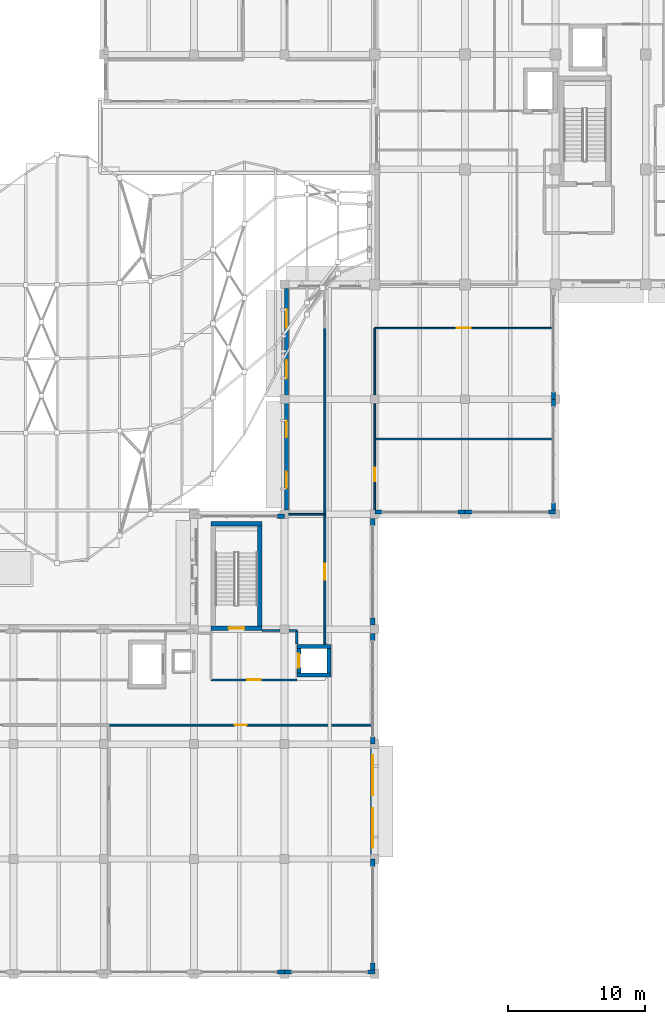
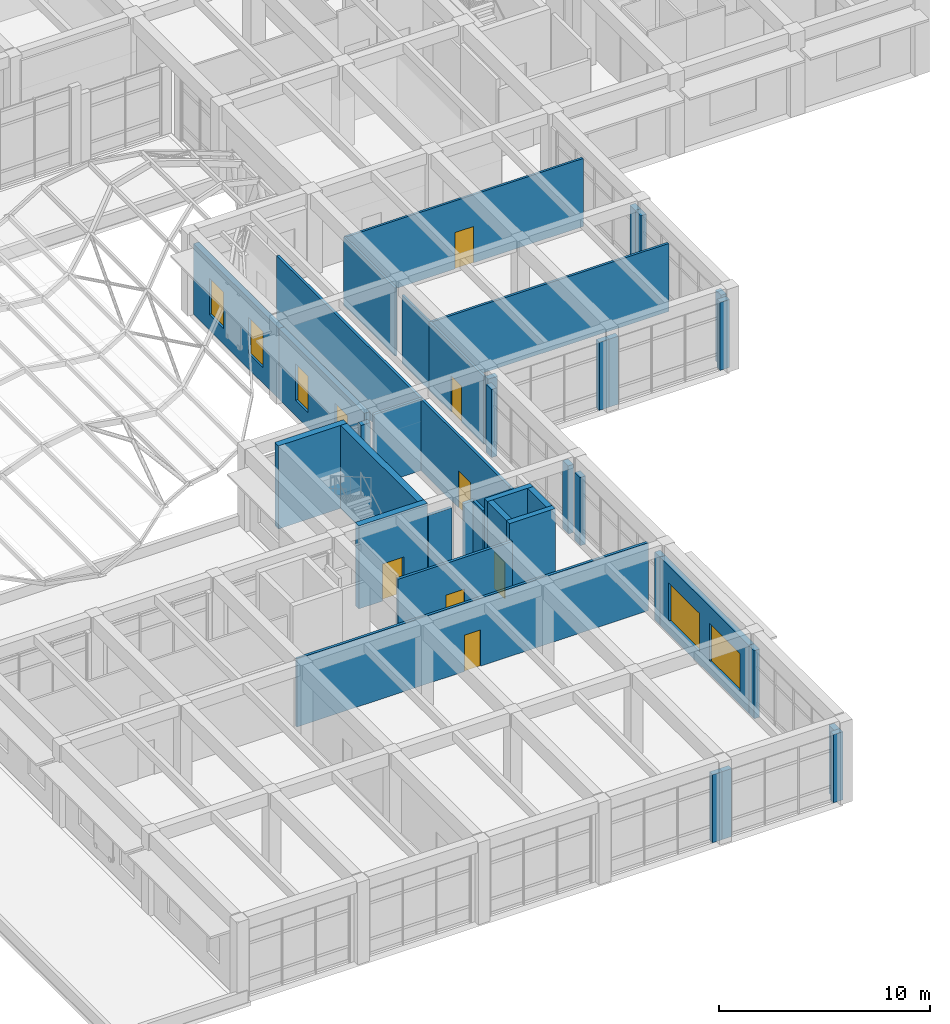
# One storey, part 57 of 79: 41 walls, 7 doors, 6 windows, 13 openings.
"""IFC4 building model written with IfcOpenShell, lengths in metres."""

from ifc_helpers import new_model, si_unit, direction, frame, frame_2d, origin, place, context, subcontext, project, spatial, rectangle, extrude, material, layer, layer_set, type_object, element, fill, save


model = new_model("IFC4")

# Units and contexts
model_context = context("Model", 3, precision=1e-05, world=origin(), true_north=direction((0.0, 1.0)))
body_context = subcontext(model_context, "Body", "Model", "MODEL_VIEW")
ifc_project = project(units=[si_unit("LENGTHUNIT", "METRE"), si_unit("AREAUNIT", "SQUARE_METRE"), si_unit("VOLUMEUNIT", "CUBIC_METRE"), si_unit("PLANEANGLEUNIT", "RADIAN"), si_unit("MASSUNIT", "GRAM", prefix="KILO")], contexts=[model_context])

# Site, building, storey
site_placement = place(None, origin())
site = spatial("IfcSite", under=ifc_project, at=site_placement, CompositionType="ELEMENT")
building_placement = place(site_placement, origin())
building = spatial("IfcBuilding", under=site, at=building_placement, Name="Kolvaren Faculty of Natural Sciences", CompositionType="ELEMENT")
storey_placement = place(building_placement, frame((0.0, 0.0, 10.199951171875)))
storey = spatial("IfcBuildingStorey", under=building, at=storey_placement, Name="L02", CompositionType="ELEMENT", Elevation=10.199951171875)

# Walls
ifc_material_1 = material(Name="Acoustic mineral-wool insulated gypsum partition")
ifc_layer_1 = layer(ifc_material_1, 0.139892578125)
ifc_layer_set_1 = layer_set([ifc_layer_1], Name="Acoustic mineral-wool insulated gypsum partition")
wall_type_1 = type_object("IfcWallType", Name="CommonsPartitionWall_140", PredefinedType="PARTITIONING", material=ifc_layer_set_1)
wall_1_placement = place(storey_placement, frame((135.14990234375, 55.800048828125, 0.0), z_axis=(0.0, 0.0, 1.0), x_axis=(0.0, -1.0, 0.0)))
element("IfcWall", 1, at=wall_1_placement, inside=storey, type_object=wall_type_1, Name="L02 interior partition PW-140", PredefinedType="PARTITIONING", context=body_context, shape_type="SweptSolid", body=[
    extrude(rectangle(XDim=13.60009765625, YDim=0.139892578125, at=frame_2d((6.800048828125, 0.0))), origin(), (0.0, 0.0, 1.0), 4.135009765625),
])
wall_2_placement = place(storey_placement, frame((135.14990234375, 42.199951171875, 0.0), z_axis=(0.0, 0.0, 1.0), x_axis=(-1.0, 0.0, 0.0)))
element("IfcWall", 2, at=wall_2_placement, inside=storey, type_object=wall_type_1, Name="L02 interior partition PW-140", PredefinedType="PARTITIONING", context=body_context, shape_type="SweptSolid", body=[
    extrude(rectangle(XDim=2.625, YDim=0.139892578125, at=frame_2d((1.3125, 0.0))), origin(), (0.0, 0.0, 1.0), 4.135009765625),
])

# Wall, opening, door
wall_3_placement = place(storey_placement, frame((135.14990234375, 42.199951171875, 0.0), z_axis=(0.0, 0.0, 1.0), x_axis=(0.0, -1.0, 0.0)))
wall_3 = element("IfcWall", 3, at=wall_3_placement, inside=storey, type_object=wall_type_1, Name="L02 interior partition PW-140", PredefinedType="PARTITIONING", context=body_context, shape_type="SweptSolid", body=[
    extrude(rectangle(XDim=8.39990234375, YDim=0.139892578125, at=frame_2d((4.199951171875, 0.0))), origin(), (0.0, 0.0, 1.0), 4.135009765625),
])
opening_1_placement = place(wall_3_placement, frame((3.6201171875, 0.0, 0.0)))
opening_1 = element("IfcOpeningElement", 4, at=opening_1_placement, cuts=wall_3, Name="Opening ID-24", PredefinedType="OPENING", context=body_context, shape_type="SweptSolid", body=[
    extrude(rectangle(XDim=1.159912109375, YDim=2.139892578125, at=frame_2d((0.580078125, 1.06982421875))), frame((0.0, 0.079833984375, 0.0), z_axis=(0.0, -1.0, 0.0), x_axis=(1.0, 0.0, 0.0)), (0.0, 0.0, 1.0), 0.159912109375),
])
ifc_material_2 = material(Name="Solid-core hardwood veneer door leaf in steel frame", Category="steel")
door_type_1 = type_object("IfcDoorType", Name="InteriorRoomDoor_1160x2140", OperationType="NOTDEFINED", PredefinedType="DOOR", material=ifc_material_2)
door_1_placement = place(opening_1_placement, origin())
door_1 = element("IfcDoor", 5, at=door_1_placement, inside=storey, type_object=door_type_1, Name="D-L02-0217", OperationType="SINGLE_SWING_LEFT", OverallHeight=2.139892578125, OverallWidth=1.159912109375, PredefinedType="DOOR", context=body_context, shape_type="SweptSolid", body=[
    extrude(rectangle(XDim=1.159912109375, YDim=2.139892578125, at=frame_2d((0.580078125, 1.06982421875))), frame((0.0, 0.02490234375, 0.0), z_axis=(0.0, -1.0, 0.0), x_axis=(1.0, 0.0, 0.0)), (0.0, 0.0, 1.0), 0.050048828125),
])
fill(opening_1, door_1)

# Wall
wall_4_placement = place(storey_placement, frame((135.14990234375, 33.800048828125, 0.0), z_axis=(0.0, 0.0, 1.0), x_axis=(0.0, -1.0, 0.0)))
element("IfcWall", 6, at=wall_4_placement, inside=storey, type_object=wall_type_1, Name="L02 interior partition PW-140", PredefinedType="PARTITIONING", context=body_context, shape_type="SweptSolid", body=[
    extrude(rectangle(XDim=1.09814453125, YDim=0.139892578125, at=frame_2d((0.549072265625, 0.0))), origin(), (0.0, 0.0, 1.0), 4.135009765625),
])

# Wall, opening, door
ifc_layer_2 = layer(ifc_material_1, 0.14501953125)
ifc_layer_set_2 = layer_set([ifc_layer_2], Name="Acoustic mineral-wool insulated gypsum partition")
wall_type_2 = type_object("IfcWallType", Name="CommonsPartitionWall_145", PredefinedType="PARTITIONING", material=ifc_layer_set_2)
wall_5_placement = place(storey_placement, frame((119.39990234375, 26.800048828125, 0.0), z_axis=(0.0, 0.0, 1.0), x_axis=(1.0, 0.0, 0.0)))
wall_5 = element("IfcWall", 7, at=wall_5_placement, inside=storey, type_object=wall_type_2, Name="L02 interior partition PW-145", PredefinedType="PARTITIONING", context=body_context, shape_type="SweptSolid", body=[
    extrude(rectangle(XDim=19.22021484375, YDim=0.14501953125, at=frame_2d((9.610107421875, 0.0))), origin(), (0.0, 0.0, 1.0), 3.93505859375),
])
opening_2_placement = place(wall_5_placement, frame((9.159912109375, 0.0, 0.0)))
opening_2 = element("IfcOpeningElement", 8, at=opening_2_placement, cuts=wall_5, Name="Opening ID-12", PredefinedType="OPENING", context=body_context, shape_type="SweptSolid", body=[
    extrude(rectangle(XDim=0.89990234375, YDim=2.10009765625, at=frame_2d((0.449951171875, 1.050048828125))), frame((0.0, 0.08251953125, 0.0), z_axis=(0.0, -1.0, 0.0), x_axis=(1.0, 0.0, 0.0)), (0.0, 0.0, 1.0), 0.1650390625),
])
door_type_2 = type_object("IfcDoorType", Name="InteriorRoomDoor_900x2100", OperationType="NOTDEFINED", PredefinedType="DOOR", material=ifc_material_2)
door_2_placement = place(opening_2_placement, origin())
door_2 = element("IfcDoor", 9, at=door_2_placement, inside=storey, type_object=door_type_2, Name="D-L02-0202", OperationType="SINGLE_SWING_RIGHT", OverallHeight=2.10009765625, OverallWidth=0.89990234375, PredefinedType="DOOR", context=body_context, shape_type="SweptSolid", body=[
    extrude(rectangle(XDim=0.89990234375, YDim=2.10009765625, at=frame_2d((0.449951171875, 1.050048828125))), frame((0.0, 0.02490234375, 0.0), z_axis=(0.0, -1.0, 0.0), x_axis=(1.0, 0.0, 0.0)), (0.0, 0.0, 1.0), 0.050048828125),
])
fill(opening_2, door_2)

ifc_material_3 = material(Name="Concrete C40/50", Category="concrete")
ifc_layer_3 = layer(ifc_material_3, 0.35009765625)
ifc_layer_set_3 = layer_set([ifc_layer_3], Name="Concrete C40/50")
wall_type_3 = type_object("IfcWallType", Name="CoreShearWall_350", PredefinedType="SHEAR", material=ifc_layer_set_3)
wall_6_placement = place(storey_placement, frame((126.824951171875, 33.875, 0.0), z_axis=(0.0, 0.0, 1.0), x_axis=(1.0, 0.0, 0.0)))
wall_6 = element("IfcWall", 10, at=wall_6_placement, inside=storey, type_object=wall_type_3, Name="L02 CORE-C3 stair shear wall S", PredefinedType="SHEAR", context=body_context, shape_type="SweptSolid", body=[
    extrude(rectangle(XDim=3.75, YDim=0.35009765625, at=frame_2d((1.875, 0.0))), origin(), (0.0, 0.0, 1.0), 4.800048828125),
])
opening_3_placement = place(wall_6_placement, frame((1.300048828125, 0.0, 0.0)))
opening_3 = element("IfcOpeningElement", 11, at=opening_3_placement, cuts=wall_6, Name="Opening FD90", PredefinedType="OPENING", context=body_context, shape_type="SweptSolid", body=[
    extrude(rectangle(XDim=1.14990234375, YDim=2.14990234375, at=frame_2d((0.574951171875, 1.074951171875))), frame((0.0, 0.18505859375, 0.0), z_axis=(0.0, -1.0, 0.0), x_axis=(1.0, 0.0, 0.0)), (0.0, 0.0, 1.0), 0.3701171875),
])
ifc_material_4 = material(Name="Fire-rated solid-core hardwood door leaf in steel frame", Category="steel")
door_type_3 = type_object("IfcDoorType", Name="StairCoreFireDoor_1150x2150", OperationType="NOTDEFINED", PredefinedType="DOOR", material=ifc_material_4)
door_3_placement = place(opening_3_placement, origin())
door_3 = element("IfcDoor", 12, at=door_3_placement, inside=storey, type_object=door_type_3, Name="D-ST-ST-3-L02", OperationType="SINGLE_SWING_RIGHT", OverallHeight=2.14990234375, OverallWidth=1.14990234375, PredefinedType="DOOR", context=body_context, shape_type="SweptSolid", body=[
    extrude(rectangle(XDim=1.14990234375, YDim=2.14990234375, at=frame_2d((0.574951171875, 1.074951171875))), frame((0.0, 0.02490234375, 0.0), z_axis=(0.0, -1.0, 0.0), x_axis=(1.0, 0.0, 0.0)), (0.0, 0.0, 1.0), 0.050048828125),
])
fill(opening_3, door_3)

# Walls
wall_7_placement = place(storey_placement, frame((126.824951171875, 41.5, 0.0), z_axis=(0.0, 0.0, 1.0), x_axis=(1.0, 0.0, 0.0)))
element("IfcWall", 13, at=wall_7_placement, inside=storey, type_object=wall_type_3, Name="L02 CORE-C3 stair shear wall N", PredefinedType="SHEAR", context=body_context, shape_type="SweptSolid", body=[
    extrude(rectangle(XDim=3.75, YDim=0.35009765625, at=frame_2d((1.875, 0.0))), origin(), (0.0, 0.0, 1.0), 4.800048828125),
])
wall_8_placement = place(storey_placement, frame((130.39990234375, 34.050048828125, 0.0), z_axis=(0.0, 0.0, 1.0), x_axis=(0.0, 1.0, 0.0)))
element("IfcWall", 14, at=wall_8_placement, inside=storey, type_object=wall_type_3, Name="L02 CORE-C3 stair shear wall E", PredefinedType="SHEAR", context=body_context, shape_type="SweptSolid", body=[
    extrude(rectangle(XDim=7.27490234375, YDim=0.35009765625, at=frame_2d((3.637451171875, 0.0))), origin(), (0.0, 0.0, 1.0), 4.800048828125),
])
ifc_material_5 = material(Name="Sandstone-faced insulated cavity masonry", Category="masonry")
ifc_layer_4 = layer(ifc_material_5, 0.300048828125)
ifc_layer_set_4 = layer_set([ifc_layer_4], Name="Sandstone-faced insulated cavity masonry")
wall_type_4 = type_object("IfcWallType", Name="ExteriorCavityWall_300", PredefinedType="STANDARD", material=ifc_layer_set_4)
wall_9_placement = place(storey_placement, frame((131.679931640625, 42.050048828125, 0.0), z_axis=(0.0, 0.0, 1.0), x_axis=(1.0, 0.0, 0.0)))
element("IfcWall", 15, at=wall_9_placement, inside=storey, type_object=wall_type_4, Name="L02 curtain-wall pier stub 354", PredefinedType="STANDARD", context=body_context, shape_type="SweptSolid", body=[
    extrude(rectangle(XDim=0.52001953125, YDim=0.300048828125, at=frame_2d((0.260009765625, 0.0))), origin(), (0.0, 0.0, 1.0), 3.93505859375),
])

# Wall, openings, windows
wall_10_placement = place(storey_placement, frame((132.35009765625, 42.5, 0.0), z_axis=(0.0, 0.0, 1.0), x_axis=(0.0, 1.0, 0.0)))
wall_10 = element("IfcWall", 16, at=wall_10_placement, inside=storey, type_object=wall_type_4, Name="L02 exterior masonry wall EW-300 (355)", PredefinedType="STANDARD", context=body_context, shape_type="SweptSolid", body=[
    extrude(rectangle(XDim=8.10009765625, YDim=0.300048828125, at=frame_2d((4.050048828125, 0.0))), origin(), (0.0, 0.0, 1.0), 4.0849609375),
])
opening_4_placement = place(wall_10_placement, frame((1.5869140625, 0.0, 0.89990234375)))
opening_4 = element("IfcOpeningElement", 17, at=opening_4_placement, cuts=wall_10, Name="Opening WIN-01", PredefinedType="OPENING", context=body_context, shape_type="SweptSolid", body=[
    extrude(rectangle(XDim=1.199951171875, YDim=2.10009765625, at=frame_2d((0.60009765625, 1.050048828125))), frame((0.0, 0.159912109375, 0.0), z_axis=(0.0, -1.0, 0.0), x_axis=(1.0, 0.0, 0.0)), (0.0, 0.0, 1.0), 0.320068359375),
])
opening_5_placement = place(wall_10_placement, frame((5.31298828125, 0.0, 0.89990234375)))
opening_5 = element("IfcOpeningElement", 18, at=opening_5_placement, cuts=wall_10, Name="Opening WIN-01", PredefinedType="OPENING", context=body_context, shape_type="SweptSolid", body=[
    extrude(rectangle(XDim=1.199951171875, YDim=2.10009765625, at=frame_2d((0.60009765625, 1.050048828125))), frame((0.0, 0.159912109375, 0.0), z_axis=(0.0, -1.0, 0.0), x_axis=(1.0, 0.0, 0.0)), (0.0, 0.0, 1.0), 0.320068359375),
])
ifc_material_6 = material(Name="Double low-E solar control insulated glazing", Category="glass")
window_type_1 = type_object("IfcWindowType", Name="AluWindow_WIN01_1200x2100", PartitioningType="SINGLE_PANEL", PredefinedType="WINDOW", material=ifc_material_6)
window_1_placement = place(opening_4_placement, origin())
window_1 = element("IfcWindow", 19, at=window_1_placement, inside=storey, type_object=window_type_1, Name="WIN-L02-0273", OverallHeight=2.10009765625, OverallWidth=1.199951171875, PartitioningType="SINGLE_PANEL", PredefinedType="WINDOW", context=body_context, shape_type="SweptSolid", body=[
    extrude(rectangle(XDim=1.199951171875, YDim=2.10009765625, at=frame_2d((0.60009765625, 1.050048828125))), frame((0.0, 0.030029296875, 0.0), z_axis=(0.0, -1.0, 0.0), x_axis=(1.0, 0.0, 0.0)), (0.0, 0.0, 1.0), 0.06005859375),
])
fill(opening_4, window_1)
window_2_placement = place(opening_5_placement, origin())
window_2 = element("IfcWindow", 20, at=window_2_placement, inside=storey, type_object=window_type_1, Name="WIN-L02-0274", OverallHeight=2.10009765625, OverallWidth=1.199951171875, PartitioningType="SINGLE_PANEL", PredefinedType="WINDOW", context=body_context, shape_type="SweptSolid", body=[
    extrude(rectangle(XDim=1.199951171875, YDim=2.10009765625, at=frame_2d((0.60009765625, 1.050048828125))), frame((0.0, 0.030029296875, 0.0), z_axis=(0.0, -1.0, 0.0), x_axis=(1.0, 0.0, 0.0)), (0.0, 0.0, 1.0), 0.06005859375),
])
fill(opening_5, window_2)

wall_11_placement = place(storey_placement, frame((132.35009765625, 50.60009765625, 0.0), z_axis=(0.0, 0.0, 1.0), x_axis=(0.0, 1.0, 0.0)))
wall_11 = element("IfcWall", 21, at=wall_11_placement, inside=storey, type_object=wall_type_4, Name="L02 exterior masonry wall EW-300 (356)", PredefinedType="STANDARD", context=body_context, shape_type="SweptSolid", body=[
    extrude(rectangle(XDim=8.099853515625, YDim=0.300048828125, at=frame_2d((4.0498046875, 0.0))), origin(), (0.0, 0.0, 1.0), 4.0849609375),
])
opening_6_placement = place(wall_11_placement, frame((1.511962890625, 0.0, 0.89990234375)))
opening_6 = element("IfcOpeningElement", 22, at=opening_6_placement, cuts=wall_11, Name="Opening WIN-02", PredefinedType="OPENING", context=body_context, shape_type="SweptSolid", body=[
    extrude(rectangle(XDim=1.35009765625, YDim=2.10009765625, at=frame_2d((0.675048828125, 1.050048828125))), frame((0.0, 0.159912109375, 0.0), z_axis=(0.0, -1.0, 0.0), x_axis=(1.0, 0.0, 0.0)), (0.0, 0.0, 1.0), 0.320068359375),
])
opening_7_placement = place(wall_11_placement, frame((5.238037109375, 0.0, 0.89990234375)))
opening_7 = element("IfcOpeningElement", 23, at=opening_7_placement, cuts=wall_11, Name="Opening WIN-02", PredefinedType="OPENING", context=body_context, shape_type="SweptSolid", body=[
    extrude(rectangle(XDim=1.35009765625, YDim=2.10009765625, at=frame_2d((0.675048828125, 1.050048828125))), frame((0.0, 0.159912109375, 0.0), z_axis=(0.0, -1.0, 0.0), x_axis=(1.0, 0.0, 0.0)), (0.0, 0.0, 1.0), 0.320068359375),
])
window_type_2 = type_object("IfcWindowType", Name="AluWindow_WIN02_1350x2100", PartitioningType="SINGLE_PANEL", PredefinedType="WINDOW", material=ifc_material_6)
window_3_placement = place(opening_6_placement, origin())
window_3 = element("IfcWindow", 24, at=window_3_placement, inside=storey, type_object=window_type_2, Name="WIN-L02-0275", OverallHeight=2.10009765625, OverallWidth=1.35009765625, PartitioningType="SINGLE_PANEL", PredefinedType="WINDOW", context=body_context, shape_type="SweptSolid", body=[
    extrude(rectangle(XDim=1.35009765625, YDim=2.10009765625, at=frame_2d((0.675048828125, 1.050048828125))), frame((0.0, 0.030029296875, 0.0), z_axis=(0.0, -1.0, 0.0), x_axis=(1.0, 0.0, 0.0)), (0.0, 0.0, 1.0), 0.06005859375),
])
fill(opening_6, window_3)
window_4_placement = place(opening_7_placement, origin())
window_4 = element("IfcWindow", 25, at=window_4_placement, inside=storey, type_object=window_type_2, Name="WIN-L02-0276", OverallHeight=2.10009765625, OverallWidth=1.35009765625, PartitioningType="SINGLE_PANEL", PredefinedType="WINDOW", context=body_context, shape_type="SweptSolid", body=[
    extrude(rectangle(XDim=1.35009765625, YDim=2.10009765625, at=frame_2d((0.675048828125, 1.050048828125))), frame((0.0, 0.030029296875, 0.0), z_axis=(0.0, -1.0, 0.0), x_axis=(1.0, 0.0, 0.0)), (0.0, 0.0, 1.0), 0.06005859375),
])
fill(opening_7, window_4)

# Walls
for number, where, z_axis, x_axis, name in (
    (26, (151.85009765625, 51.1201171875, 0.0), (0.0, 0.0, 1.0), (0.0, -1.0, 0.0), "L02 curtain-wall pier stub 407"),
    (27, (151.85009765625, 50.60009765625, 0.0), (0.0, 0.0, 1.0), (0.0, -1.0, 0.0), "L02 curtain-wall pier stub 408"),
    (28, (151.85009765625, 43.02001953125, 0.0), (0.0, 0.0, 1.0), (0.0, -1.0, 0.0), "L02 curtain-wall pier stub 409"),
):
    element("IfcWall", number, at=place(storey_placement, frame(where, z_axis=z_axis, x_axis=x_axis)), inside=storey, type_object=wall_type_4, Name=name, PredefinedType="STANDARD", context=body_context, shape_type="SweptSolid", body=[
        extrude(rectangle(XDim=0.52001953125, YDim=0.300048828125, at=frame_2d((0.260009765625, 0.0))), origin(), (0.0, 0.0, 1.0), 4.0849609375),
    ])
for number, where, z_axis, x_axis, name in (
    (29, (152.0, 42.35009765625, 0.0), (0.0, 0.0, 1.0), (-1.0, 0.0, 0.0), "L02 curtain-wall pier stub 410"),
    (30, (145.919921875, 42.35009765625, 0.0), (0.0, 0.0, 1.0), (-1.0, 0.0, 0.0), "L02 curtain-wall pier stub 411"),
    (31, (145.39990234375, 42.35009765625, 0.0), (0.0, 0.0, 1.0), (-1.0, 0.0, 0.0), "L02 curtain-wall pier stub 412"),
    (32, (139.320068359375, 42.35009765625, 0.0), (0.0, 0.0, 1.0), (-1.0, 0.0, 0.0), "L02 curtain-wall pier stub 413"),
    (33, (138.64990234375, 41.89990234375, 0.0), (0.0, 0.0, 1.0), (0.0, -1.0, 0.0), "L02 curtain-wall pier stub 414"),
    (34, (138.64990234375, 34.6201171875, 0.0), (0.0, 0.0, 1.0), (0.0, -1.0, 0.0), "L02 curtain-wall pier stub 415"),
    (35, (138.64990234375, 33.5, 0.0), (0.0, 0.0, 1.0), (0.0, -1.0, 0.0), "L02 curtain-wall pier stub 416"),
    (36, (138.64990234375, 25.919921875, 0.0), (0.0, 0.0, 1.0), (0.0, -1.0, 0.0), "L02 curtain-wall pier stub 417"),
):
    element("IfcWall", number, at=place(storey_placement, frame(where, z_axis=z_axis, x_axis=x_axis)), inside=storey, type_object=wall_type_4, Name=name, PredefinedType="STANDARD", context=body_context, shape_type="SweptSolid", body=[
        extrude(rectangle(XDim=0.52001953125, YDim=0.300048828125, at=frame_2d((0.260009765625, 0.0))), origin(), (0.0, 0.0, 1.0), 3.93505859375),
    ])

# Wall, openings, windows
wall_12_placement = place(storey_placement, frame((138.64990234375, 25.39990234375, 0.0), z_axis=(0.0, 0.0, 1.0), x_axis=(0.0, -1.0, 0.0)))
wall_12 = element("IfcWall", 37, at=wall_12_placement, inside=storey, type_object=wall_type_4, Name="L02 exterior masonry wall EW-300 (418)", PredefinedType="STANDARD", context=body_context, shape_type="SweptSolid", body=[
    extrude(rectangle(XDim=8.39990234375, YDim=0.300048828125, at=frame_2d((4.199951171875, 0.0))), origin(), (0.0, 0.0, 1.0), 3.93505859375),
])
opening_8_placement = place(wall_12_placement, frame((0.818115234375, 0.0, 0.75)))
opening_8 = element("IfcOpeningElement", 38, at=opening_8_placement, cuts=wall_12, Name="Opening WIN-12", PredefinedType="OPENING", context=body_context, shape_type="SweptSolid", body=[
    extrude(rectangle(XDim=2.89990234375, YDim=2.199951171875, at=frame_2d((1.449951171875, 1.10009765625))), frame((0.0, 0.159912109375, 0.0), z_axis=(0.0, -1.0, 0.0), x_axis=(1.0, 0.0, 0.0)), (0.0, 0.0, 1.0), 0.320068359375),
])
opening_9_placement = place(wall_12_placement, frame((4.681884765625, 0.0, 0.75)))
opening_9 = element("IfcOpeningElement", 39, at=opening_9_placement, cuts=wall_12, Name="Opening WIN-12", PredefinedType="OPENING", context=body_context, shape_type="SweptSolid", body=[
    extrude(rectangle(XDim=2.89990234375, YDim=2.199951171875, at=frame_2d((1.449951171875, 1.10009765625))), frame((0.0, 0.159912109375, 0.0), z_axis=(0.0, -1.0, 0.0), x_axis=(1.0, 0.0, 0.0)), (0.0, 0.0, 1.0), 0.320068359375),
])
window_type_3 = type_object("IfcWindowType", Name="AluWindow_WIN12_2900x2200", PartitioningType="SINGLE_PANEL", PredefinedType="WINDOW", material=ifc_material_6)
window_5_placement = place(opening_8_placement, origin())
window_5 = element("IfcWindow", 40, at=window_5_placement, inside=storey, type_object=window_type_3, Name="WIN-L02-0289", OverallHeight=2.199951171875, OverallWidth=2.89990234375, PartitioningType="SINGLE_PANEL", PredefinedType="WINDOW", context=body_context, shape_type="SweptSolid", body=[
    extrude(rectangle(XDim=2.89990234375, YDim=2.199951171875, at=frame_2d((1.449951171875, 1.10009765625))), frame((0.0, 0.030029296875, 0.0), z_axis=(0.0, -1.0, 0.0), x_axis=(1.0, 0.0, 0.0)), (0.0, 0.0, 1.0), 0.06005859375),
])
fill(opening_8, window_5)
window_6_placement = place(opening_9_placement, origin())
window_6 = element("IfcWindow", 41, at=window_6_placement, inside=storey, type_object=window_type_3, Name="WIN-L02-0290", OverallHeight=2.199951171875, OverallWidth=2.89990234375, PartitioningType="SINGLE_PANEL", PredefinedType="WINDOW", context=body_context, shape_type="SweptSolid", body=[
    extrude(rectangle(XDim=2.89990234375, YDim=2.199951171875, at=frame_2d((1.449951171875, 1.10009765625))), frame((0.0, 0.030029296875, 0.0), z_axis=(0.0, -1.0, 0.0), x_axis=(1.0, 0.0, 0.0)), (0.0, 0.0, 1.0), 0.06005859375),
])
fill(opening_9, window_6)

# Walls
for number, where, z_axis, x_axis, name in (
    (42, (138.64990234375, 17.0, 0.0), (0.0, 0.0, 1.0), (0.0, -1.0, 0.0), "L02 curtain-wall pier stub 419"),
    (43, (138.64990234375, 9.419921875, 0.0), (0.0, 0.0, 1.0), (0.0, -1.0, 0.0), "L02 curtain-wall pier stub 420"),
    (44, (138.800048828125, 8.75, 0.0), (0.0, 0.0, 1.0), (-1.0, 0.0, 0.0), "L02 curtain-wall pier stub 421"),
    (45, (132.719970703125, 8.75, 0.0), (0.0, 0.0, 1.0), (-1.0, 0.0, 0.0), "L02 curtain-wall pier stub 422"),
    (46, (132.199951171875, 8.75, 0.0), (0.0, 0.0, 1.0), (-1.0, 0.0, 0.0), "L02 curtain-wall pier stub 423"),
):
    element("IfcWall", number, at=place(storey_placement, frame(where, z_axis=z_axis, x_axis=x_axis)), inside=storey, type_object=wall_type_4, Name=name, PredefinedType="STANDARD", context=body_context, shape_type="SweptSolid", body=[
        extrude(rectangle(XDim=0.52001953125, YDim=0.300048828125, at=frame_2d((0.260009765625, 0.0))), origin(), (0.0, 0.0, 1.0), 3.93505859375),
    ])

# Wall, opening, door
ifc_layer_5 = layer(ifc_material_1, 0.1298828125)
ifc_layer_set_5 = layer_set([ifc_layer_5], Name="Acoustic mineral-wool insulated gypsum partition")
wall_type_5 = type_object("IfcWallType", Name="OfficePartitionWall_130", PredefinedType="PARTITIONING", material=ifc_layer_set_5)
wall_13_placement = place(storey_placement, frame((138.800048828125, 42.52490234375, 0.0), z_axis=(0.0, 0.0, 1.0), x_axis=(0.0, 1.0, 0.0)))
wall_13 = element("IfcWall", 47, at=wall_13_placement, inside=storey, type_object=wall_type_5, Name="L02 interior partition PW-130", PredefinedType="PARTITIONING", context=body_context, shape_type="SweptSolid", body=[
    extrude(rectangle(XDim=5.175048828125, YDim=0.1298828125, at=frame_2d((2.58740234375, 0.0))), origin(), (0.0, 0.0, 1.0), 3.93505859375),
])
opening_10_placement = place(wall_13_placement, frame((2.1025390625, 0.0, 0.0)))
opening_10 = element("IfcOpeningElement", 48, at=opening_10_placement, cuts=wall_13, Name="Opening ID-14", PredefinedType="OPENING", context=body_context, shape_type="SweptSolid", body=[
    extrude(rectangle(XDim=0.969970703125, YDim=2.10009765625, at=frame_2d((0.48486328125, 1.050048828125))), frame((0.0, 0.074951171875, 0.0), z_axis=(0.0, -1.0, 0.0), x_axis=(1.0, 0.0, 0.0)), (0.0, 0.0, 1.0), 0.14990234375),
])
door_type_4 = type_object("IfcDoorType", Name="InteriorRoomDoor_970x2100", OperationType="NOTDEFINED", PredefinedType="DOOR", material=ifc_material_2)
door_4_placement = place(opening_10_placement, origin())
door_4 = element("IfcDoor", 49, at=door_4_placement, inside=storey, type_object=door_type_4, Name="D-L02-0205", OperationType="SINGLE_SWING_LEFT", OverallHeight=2.10009765625, OverallWidth=0.969970703125, PredefinedType="DOOR", context=body_context, shape_type="SweptSolid", body=[
    extrude(rectangle(XDim=0.969970703125, YDim=2.10009765625, at=frame_2d((0.48486328125, 1.050048828125))), frame((0.0, 0.02490234375, 0.0), z_axis=(0.0, -1.0, 0.0), x_axis=(1.0, 0.0, 0.0)), (0.0, 0.0, 1.0), 0.050048828125),
])
fill(opening_10, door_4)

# Walls
wall_14_placement = place(storey_placement, frame((138.800048828125, 47.699951171875, 0.0), z_axis=(0.0, 0.0, 1.0), x_axis=(1.0, 0.0, 0.0)))
element("IfcWall", 50, at=wall_14_placement, inside=storey, type_object=wall_type_5, Name="L02 interior partition PW-130", PredefinedType="PARTITIONING", context=body_context, shape_type="SweptSolid", body=[
    extrude(rectangle(XDim=13.02001953125, YDim=0.1298828125, at=frame_2d((6.510009765625, 0.0))), origin(), (0.0, 0.0, 1.0), 3.93505859375),
])
ifc_material_7 = material(Name="Double fire-rated gypsum board on 100 mm steel stud", Category="steel")
ifc_layer_6 = layer(ifc_material_7, 0.14990234375)
ifc_layer_set_6 = layer_set([ifc_layer_6], Name="Double fire-rated gypsum board on 100 mm steel stud")
wall_type_6 = type_object("IfcWallType", Name="RatedCorridorWall_150", PredefinedType="PARTITIONING", material=ifc_layer_set_6)
wall_15_placement = place(storey_placement, frame((130.574951171875, 33.699951171875, 0.0), z_axis=(0.0, 0.0, 1.0), x_axis=(1.0, 0.0, 0.0)))
element("IfcWall", 51, at=wall_15_placement, inside=storey, type_object=wall_type_6, Name="L02 interior partition LW-150", PredefinedType="PARTITIONING", context=body_context, shape_type="SweptSolid", body=[
    extrude(rectangle(XDim=1.300048828125, YDim=0.14990234375, at=frame_2d((0.64990234375, 0.0))), origin(), (0.0, 0.0, 1.0), 4.135009765625),
])
wall_16_placement = place(storey_placement, frame((132.52490234375, 33.699951171875, 0.0), z_axis=(0.0, 0.0, 1.0), x_axis=(1.0, 0.0, 0.0)))
element("IfcWall", 52, at=wall_16_placement, inside=storey, type_object=wall_type_6, Name="L02 interior partition LW-150", PredefinedType="PARTITIONING", context=body_context, shape_type="SweptSolid", body=[
    extrude(rectangle(XDim=0.5751953125, YDim=0.14990234375, at=frame_2d((0.28759765625, 0.0))), origin(), (0.0, 0.0, 1.0), 4.135009765625),
])
wall_17_placement = place(storey_placement, frame((133.10009765625, 33.699951171875, 0.0), z_axis=(0.0, 0.0, 1.0), x_axis=(0.0, -1.0, 0.0)))
element("IfcWall", 53, at=wall_17_placement, inside=storey, type_object=wall_type_6, Name="L02 interior partition LW-150", PredefinedType="PARTITIONING", context=body_context, shape_type="SweptSolid", body=[
    extrude(rectangle(XDim=0.998046875, YDim=0.14990234375, at=frame_2d((0.4990234375, 0.0))), origin(), (0.0, 0.0, 1.0), 4.135009765625),
])

# Wall, opening, door
wall_18_placement = place(storey_placement, frame((133.10009765625, 30.10009765625, 0.0), z_axis=(0.0, 0.0, 1.0), x_axis=(-1.0, 0.0, 0.0)))
wall_18 = element("IfcWall", 54, at=wall_18_placement, inside=storey, type_object=wall_type_6, Name="L02 interior partition LW-150", PredefinedType="PARTITIONING", context=body_context, shape_type="SweptSolid", body=[
    extrude(rectangle(XDim=6.25, YDim=0.14990234375, at=frame_2d((3.125, 0.0))), origin(), (0.0, 0.0, 1.0), 3.93505859375),
])
opening_11_placement = place(wall_18_placement, frame((2.625, 0.0, 0.0)))
opening_11 = element("IfcOpeningElement", 55, at=opening_11_placement, cuts=wall_18, Name="Opening FD30", PredefinedType="OPENING", context=body_context, shape_type="SweptSolid", body=[
    extrude(rectangle(XDim=1.0, YDim=2.10009765625, at=frame_2d((0.5, 1.050048828125))), frame((0.0, 0.0849609375, 0.0), z_axis=(0.0, -1.0, 0.0), x_axis=(1.0, 0.0, 0.0)), (0.0, 0.0, 1.0), 0.169921875),
])
door_type_5 = type_object("IfcDoorType", Name="CorridorFireDoor_1000x2100", OperationType="NOTDEFINED", PredefinedType="DOOR", material=ifc_material_4)
door_5_placement = place(opening_11_placement, origin())
door_5 = element("IfcDoor", 56, at=door_5_placement, inside=storey, type_object=door_type_5, Name="D-L02-0173", OperationType="SINGLE_SWING_LEFT", OverallHeight=2.10009765625, OverallWidth=1.0, PredefinedType="DOOR", context=body_context, shape_type="SweptSolid", body=[
    extrude(rectangle(XDim=1.0, YDim=2.10009765625, at=frame_2d((0.5, 1.050048828125))), frame((0.0, 0.02490234375, 0.0), z_axis=(0.0, -1.0, 0.0), x_axis=(1.0, 0.0, 0.0)), (0.0, 0.0, 1.0), 0.050048828125),
])
fill(opening_11, door_5)

# Walls
ifc_layer_7 = layer(ifc_material_3, 0.300048828125)
ifc_layer_set_7 = layer_set([ifc_layer_7], Name="Concrete C40/50")
wall_type_7 = type_object("IfcWallType", Name="ShaftShearWall_300", PredefinedType="SHEAR", material=ifc_layer_set_7)
for number, where, z_axis, x_axis, name in (
    (57, (133.10009765625, 30.449951171875, 0.0), (0.0, 0.0, 1.0), (1.0, 0.0, 0.0), "L02 lift PL-3 shaft wall S"),
    (58, (133.10009765625, 32.550048828125, 0.0), (0.0, 0.0, 1.0), (1.0, 0.0, 0.0), "L02 lift PL-3 shaft wall N"),
):
    element("IfcWall", number, at=place(storey_placement, frame(where, z_axis=z_axis, x_axis=x_axis)), inside=storey, type_object=wall_type_7, Name=name, PredefinedType="SHEAR", context=body_context, shape_type="SweptSolid", body=[
        extrude(rectangle(XDim=2.5, YDim=0.300048828125, at=frame_2d((1.25, 0.0))), origin(), (0.0, 0.0, 1.0), 4.800048828125),
    ])

# Wall, opening, door
wall_19_placement = place(storey_placement, frame((133.25, 30.60009765625, 0.0), z_axis=(0.0, 0.0, 1.0), x_axis=(0.0, 1.0, 0.0)))
wall_19 = element("IfcWall", 59, at=wall_19_placement, inside=storey, type_object=wall_type_7, Name="L02 lift PL-3 shaft wall W", PredefinedType="SHEAR", context=body_context, shape_type="SweptSolid", body=[
    extrude(rectangle(XDim=1.7998046875, YDim=0.300048828125, at=frame_2d((0.89990234375, 0.0))), origin(), (0.0, 0.0, 1.0), 4.800048828125),
])
opening_12_placement = place(wall_19_placement, frame((0.39990234375, 0.0, 0.0)))
opening_12 = element("IfcOpeningElement", 60, at=opening_12_placement, cuts=wall_19, Name="Opening LD-02", PredefinedType="OPENING", context=body_context, shape_type="SweptSolid", body=[
    extrude(rectangle(XDim=1.0, YDim=2.10009765625, at=frame_2d((0.5, 1.050048828125))), frame((0.0, 0.159912109375, 0.0), z_axis=(0.0, -1.0, 0.0), x_axis=(1.0, 0.0, 0.0)), (0.0, 0.0, 1.0), 0.320068359375),
])
ifc_material_8 = material(Name="Brushed stainless steel lift car and sliding door assembly", Category="steel")
door_type_6 = type_object("IfcDoorType", Name="LiftLandingSliding_1000x2100", OperationType="SLIDING_TO_LEFT", PredefinedType="DOOR", material=ifc_material_8)
door_6_placement = place(opening_12_placement, origin())
door_6 = element("IfcDoor", 61, at=door_6_placement, inside=storey, type_object=door_type_6, Name="D-LIFT-PL-3-L02", OperationType="SLIDING_TO_LEFT", OverallHeight=2.10009765625, OverallWidth=1.0, PredefinedType="DOOR", context=body_context, shape_type="SweptSolid", body=[
    extrude(rectangle(XDim=1.0, YDim=2.10009765625, at=frame_2d((0.5, 1.050048828125))), frame((0.0, 0.02490234375, 0.0), z_axis=(0.0, -1.0, 0.0), x_axis=(1.0, 0.0, 0.0)), (0.0, 0.0, 1.0), 0.050048828125),
])
fill(opening_12, door_6)

# Wall
wall_20_placement = place(storey_placement, frame((135.449951171875, 30.60009765625, 0.0), z_axis=(0.0, 0.0, 1.0), x_axis=(0.0, 1.0, 0.0)))
element("IfcWall", 62, at=wall_20_placement, inside=storey, type_object=wall_type_7, Name="L02 lift PL-3 shaft wall E", PredefinedType="SHEAR", context=body_context, shape_type="SweptSolid", body=[
    extrude(rectangle(XDim=1.7998046875, YDim=0.300048828125, at=frame_2d((0.89990234375, 0.0))), origin(), (0.0, 0.0, 1.0), 4.800048828125),
])

# Wall, opening, door
ifc_layer_8 = layer(ifc_material_1, 0.1201171875)
ifc_layer_set_8 = layer_set([ifc_layer_8], Name="Acoustic mineral-wool insulated gypsum partition")
wall_type_8 = type_object("IfcWallType", Name="StudioPartitionWall_120", PredefinedType="PARTITIONING", material=ifc_layer_set_8)
wall_21_placement = place(storey_placement, frame((138.800048828125, 55.800048828125, 0.0), z_axis=(0.0, 0.0, 1.0), x_axis=(1.0, 0.0, 0.0)))
wall_21 = element("IfcWall", 63, at=wall_21_placement, inside=storey, type_object=wall_type_8, Name="L02 interior partition PW-120", PredefinedType="PARTITIONING", context=body_context, shape_type="SweptSolid", body=[
    extrude(rectangle(XDim=13.02001953125, YDim=0.1201171875, at=frame_2d((6.510009765625, 0.0))), origin(), (0.0, 0.0, 1.0), 3.93505859375),
])
opening_13_placement = place(wall_21_placement, frame((5.9951171875, 0.0, 0.0)))
opening_13 = element("IfcOpeningElement", 64, at=opening_13_placement, cuts=wall_21, Name="Opening ID-15", PredefinedType="OPENING", context=body_context, shape_type="SweptSolid", body=[
    extrude(rectangle(XDim=1.030029296875, YDim=2.10009765625, at=frame_2d((0.51513671875, 1.050048828125))), frame((0.0, 0.070068359375, 0.0), z_axis=(0.0, -1.0, 0.0), x_axis=(1.0, 0.0, 0.0)), (0.0, 0.0, 1.0), 0.14013671875),
])
door_type_7 = type_object("IfcDoorType", Name="InteriorRoomDoor_1030x2100", OperationType="NOTDEFINED", PredefinedType="DOOR", material=ifc_material_2)
door_7_placement = place(opening_13_placement, origin())
door_7 = element("IfcDoor", 65, at=door_7_placement, inside=storey, type_object=door_type_7, Name="D-L02-0206", OperationType="SINGLE_SWING_RIGHT", OverallHeight=2.10009765625, OverallWidth=1.030029296875, PredefinedType="DOOR", context=body_context, shape_type="SweptSolid", body=[
    extrude(rectangle(XDim=1.030029296875, YDim=2.10009765625, at=frame_2d((0.51513671875, 1.050048828125))), frame((0.0, 0.02490234375, 0.0), z_axis=(0.0, -1.0, 0.0), x_axis=(1.0, 0.0, 0.0)), (0.0, 0.0, 1.0), 0.050048828125),
])
fill(opening_13, door_7)

# Walls
wall_22_placement = place(storey_placement, frame((138.800048828125, 47.699951171875, 0.0), z_axis=(0.0, 0.0, 1.0), x_axis=(0.0, 1.0, 0.0)))
element("IfcWall", 66, at=wall_22_placement, inside=storey, type_object=wall_type_8, Name="L02 interior partition PW-120", PredefinedType="PARTITIONING", context=body_context, shape_type="SweptSolid", body=[
    extrude(rectangle(XDim=2.574951171875, YDim=0.1201171875, at=frame_2d((1.28759765625, 0.0))), origin(), (0.0, 0.0, 1.0), 3.93505859375),
])
wall_23_placement = place(storey_placement, frame((138.800048828125, 50.925048828125, 0.0), z_axis=(0.0, 0.0, 1.0), x_axis=(0.0, 1.0, 0.0)))
element("IfcWall", 67, at=wall_23_placement, inside=storey, type_object=wall_type_8, Name="L02 interior partition PW-120", PredefinedType="PARTITIONING", context=body_context, shape_type="SweptSolid", body=[
    extrude(rectangle(XDim=4.875, YDim=0.1201171875, at=frame_2d((2.4375, 0.0))), origin(), (0.0, 0.0, 1.0), 3.93505859375),
])

save(model, "model.ifc")
